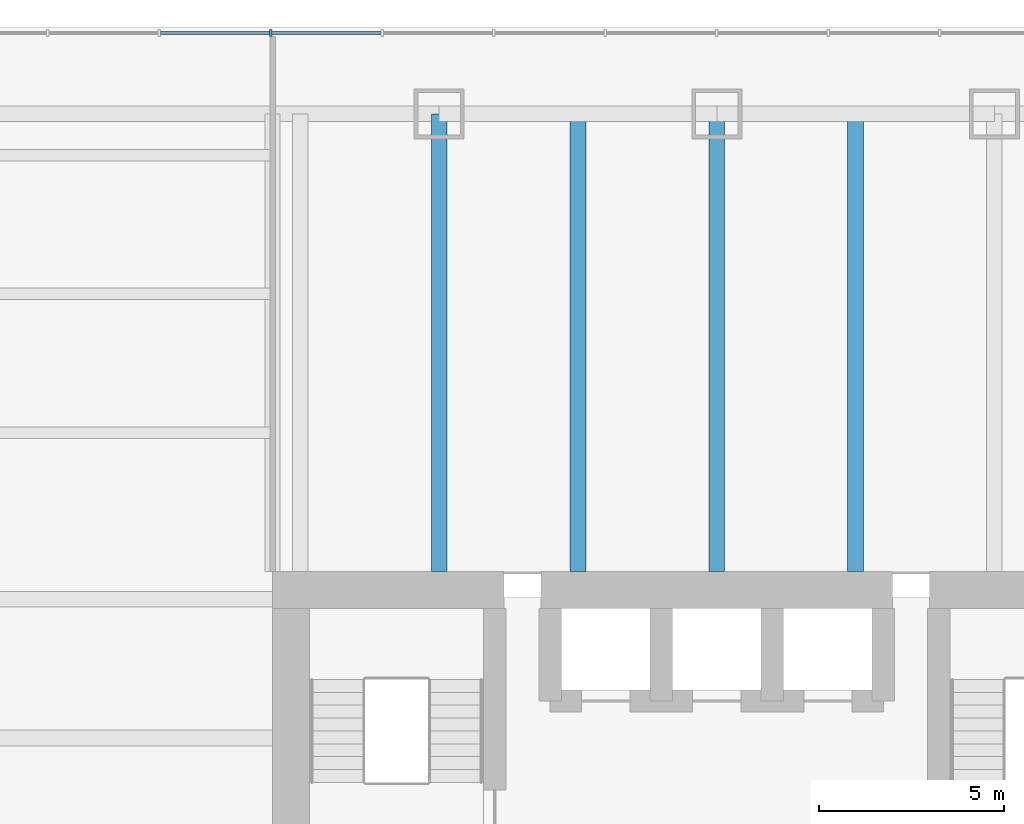
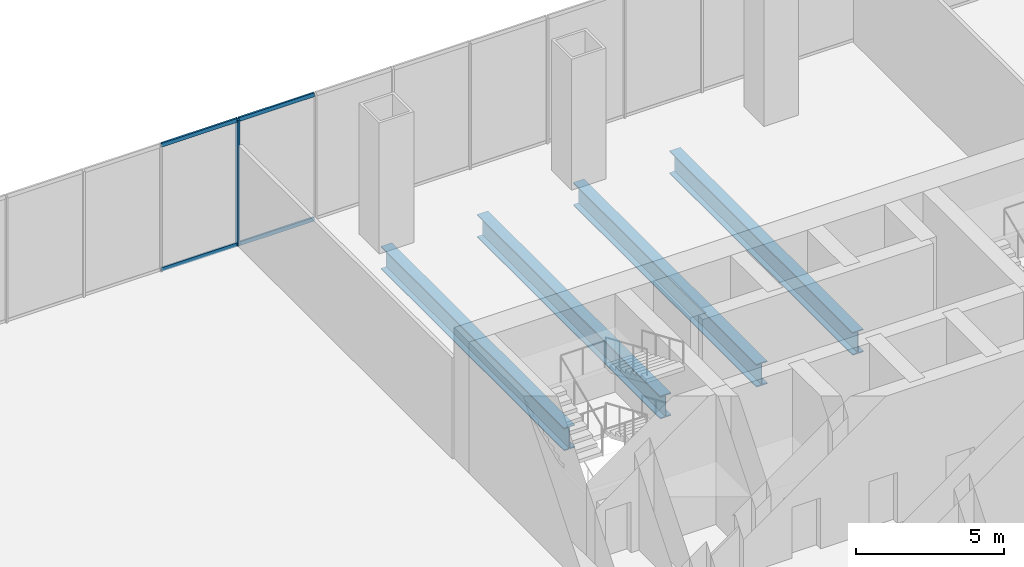
# One storey, part 7 of 17: 5 members, 4 beams, 1 element without a shape of its own.
"""IFC4 building model written with IfcOpenShell, lengths in metres."""

from ifc_helpers import new_model, si_unit, direction, frame, origin, origin_2d, place, context, subcontext, project, spatial, rectangle, i_section, extrude, material, material_profile, profile_set, type_object, element, aggregate, save


model = new_model("IFC4")

# Units and contexts
model_context = context("Model", 3, precision=1e-05, world=origin(), true_north=direction((0.0, 1.0)))
body_context = subcontext(model_context, "Body", "Model", "MODEL_VIEW")
ifc_project = project(units=[si_unit("LENGTHUNIT", "METRE"), si_unit("AREAUNIT", "SQUARE_METRE"), si_unit("VOLUMEUNIT", "CUBIC_METRE"), si_unit("PLANEANGLEUNIT", "RADIAN"), si_unit("MASSUNIT", "GRAM", prefix="KILO")], contexts=[model_context])

# Site, building, storey
site_placement = place(None, origin())
site = spatial("IfcSite", under=ifc_project, at=site_placement, CompositionType="ELEMENT")
building_placement = place(site_placement, origin())
building = spatial("IfcBuilding", under=site, at=building_placement, Name="Tarangal Relay Tower", CompositionType="ELEMENT")
storey_placement = place(building_placement, frame((0.0, 0.0, 18.0)))
storey = spatial("IfcBuildingStorey", under=building, at=storey_placement, Name="L03", CompositionType="ELEMENT", Elevation=18.0)

# Beams
ifc_material_1 = material(Name="Steel ASTM A992", Category="steel")
ifc_material_profile_1 = material_profile(ifc_material_1, i_section(OverallWidth=0.42431640625, OverallDepth=0.947509765625, WebThickness=0.02392578125, FlangeThickness=0.042724609375, at=origin_2d()), Name="W36X302")
ifc_profile_set_1 = profile_set([ifc_material_profile_1], Name="Steel ASTM A992")
beam_type = type_object("IfcBeamType", Name="Floor beam W36X302", PredefinedType="BEAM", material=ifc_profile_set_1)
for number, where, z_axis, x_axis, name in (
    (1, (-7.5, 12.0, -0.7236328125), (0.0, 1.0, 0.0), (-1.0, 0.0, 0.0), "Floor beam RB10 N L03"),
    (2, (-3.75, 12.0, -0.7236328125), (0.0, 1.0, 0.0), (-1.0, 0.0, 0.0), "Floor beam RB10 N L03"),
    (3, (0.0, 12.0, -0.7236328125), (0.0, 1.0, 0.0), (-1.0, 0.0, 0.0), "Floor beam RB10 N L03"),
    (4, (3.75, 12.0, -0.7236328125), (0.0, 1.0, 0.0), (-1.0, 0.0, 0.0), "Floor beam RB10 N L03"),
):
    element("IfcBeam", number, at=place(storey_placement, frame(where, z_axis=z_axis, x_axis=x_axis)), inside=storey, type_object=beam_type, Name=name, PredefinedType="BEAM", context=body_context, shape_type="SweptSolid", body=[
        extrude(i_section(OverallWidth=0.42431640625, OverallDepth=0.947509765625, WebThickness=0.02392578125, FlangeThickness=0.042724609375, at=origin_2d()), origin(), (0.0, 0.0, 1.0), 12.364990234375),
    ])

# Curtain wall, members
ifc_material_2 = material(Name="Unitised curtain wall, dark glass and black aluminium", Category="aluminium")
curtain_wall_type = type_object("IfcCurtainWallType", Name="Curtain wall CW-P", PredefinedType="USERDEFINED", material=ifc_material_2)
curtain_wall_placement = place(storey_placement, origin())
curtain_wall = element("IfcCurtainWall", 5, at=curtain_wall_placement, inside=storey, type_object=curtain_wall_type, Name="Curtain wall CW-P Podium N facade L03", ObjectType="UNITISED CURTAIN WALL", PredefinedType="USERDEFINED")
ifc_material_3 = material(Name="Black anodised aluminium mullion", Category="aluminium")
ifc_material_profile_2 = material_profile(ifc_material_3, rectangle(XDim=0.199951171875, YDim=0.070068359375, at=origin_2d()), Name="CW-PM 70X200")
ifc_profile_set_2 = profile_set([ifc_material_profile_2], Name="Black anodised aluminium mullion")
member_type_1 = type_object("IfcMemberType", Name="Mullion CW-P 70 x 200", PredefinedType="MULLION", material=ifc_profile_set_2)
member_1_placement = place(storey_placement, frame((-12.050048828125, 26.550048828125, 0.0), z_axis=(0.0, 0.0, 1.0), x_axis=(0.0, -1.0, 0.0)))
member_1 = element("IfcMember", 6, at=member_1_placement, type_object=member_type_1, Name="CW-P mullion 13", PredefinedType="MULLION", context=body_context, shape_type="SweptSolid", body=[
    extrude(rectangle(XDim=0.199951171875, YDim=0.070068359375, at=origin_2d()), origin(), (0.0, 0.0, 1.0), 5.199951171875),
])
ifc_material_4 = material(Name="Black anodised aluminium transom", Category="aluminium")
ifc_material_profile_3 = material_profile(ifc_material_4, rectangle(XDim=0.070068359375, YDim=0.159912109375, at=origin_2d()), Name="CW-PT 70X160")
ifc_profile_set_3 = profile_set([ifc_material_profile_3], Name="Black anodised aluminium transom")
member_type_2 = type_object("IfcMemberType", Name="Transom CW-P 70 x 160", PredefinedType="USERDEFINED", material=ifc_profile_set_3)
member_2_placement = place(storey_placement, frame((-9.072509765625, 26.550048828125, 0.034912109375), z_axis=(-1.0, 0.0, 0.0), x_axis=(0.0, -1.0, 0.0)))
member_2 = element("IfcMember", 7, at=member_2_placement, type_object=member_type_2, Name="CW-P transom 12.1", ObjectType="TRANSOM", PredefinedType="USERDEFINED", context=body_context, shape_type="SweptSolid", body=[
    extrude(rectangle(XDim=0.070068359375, YDim=0.159912109375, at=origin_2d()), origin(), (0.0, 0.0, 1.0), 2.9423828125),
])
member_3_placement = place(storey_placement, frame((-9.072509765625, 26.550048828125, 5.1650390625), z_axis=(-1.0, 0.0, 0.0), x_axis=(0.0, -1.0, 0.0)))
member_3 = element("IfcMember", 8, at=member_3_placement, type_object=member_type_2, Name="CW-P transom 12.2", ObjectType="TRANSOM", PredefinedType="USERDEFINED", context=body_context, shape_type="SweptSolid", body=[
    extrude(rectangle(XDim=0.070068359375, YDim=0.159912109375, at=origin_2d()), origin(), (0.0, 0.0, 1.0), 2.9423828125),
])
member_4_placement = place(storey_placement, frame((-12.0849609375, 26.550048828125, 0.034912109375), z_axis=(-1.0, 0.0, 0.0), x_axis=(0.0, -1.0, 0.0)))
member_4 = element("IfcMember", 9, at=member_4_placement, type_object=member_type_2, Name="CW-P transom 13.1", ObjectType="TRANSOM", PredefinedType="USERDEFINED", context=body_context, shape_type="SweptSolid", body=[
    extrude(rectangle(XDim=0.070068359375, YDim=0.159912109375, at=origin_2d()), origin(), (0.0, 0.0, 1.0), 2.942626953125),
])
member_5_placement = place(storey_placement, frame((-12.0849609375, 26.550048828125, 5.1650390625), z_axis=(-1.0, 0.0, 0.0), x_axis=(0.0, -1.0, 0.0)))
member_5 = element("IfcMember", 10, at=member_5_placement, type_object=member_type_2, Name="CW-P transom 13.2", ObjectType="TRANSOM", PredefinedType="USERDEFINED", context=body_context, shape_type="SweptSolid", body=[
    extrude(rectangle(XDim=0.070068359375, YDim=0.159912109375, at=origin_2d()), origin(), (0.0, 0.0, 1.0), 2.942626953125),
])
aggregate(curtain_wall, [member_1, member_2, member_3, member_4, member_5])

save(model, "model.ifc")
